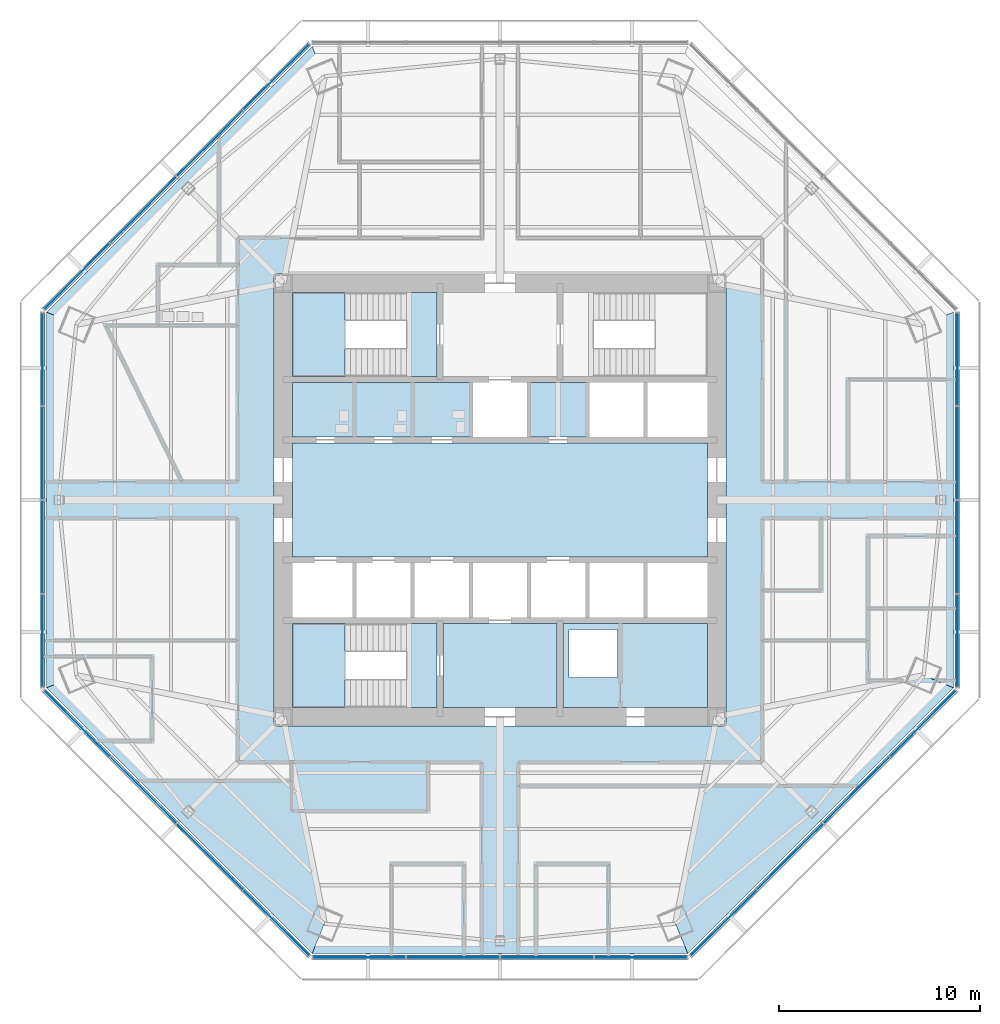
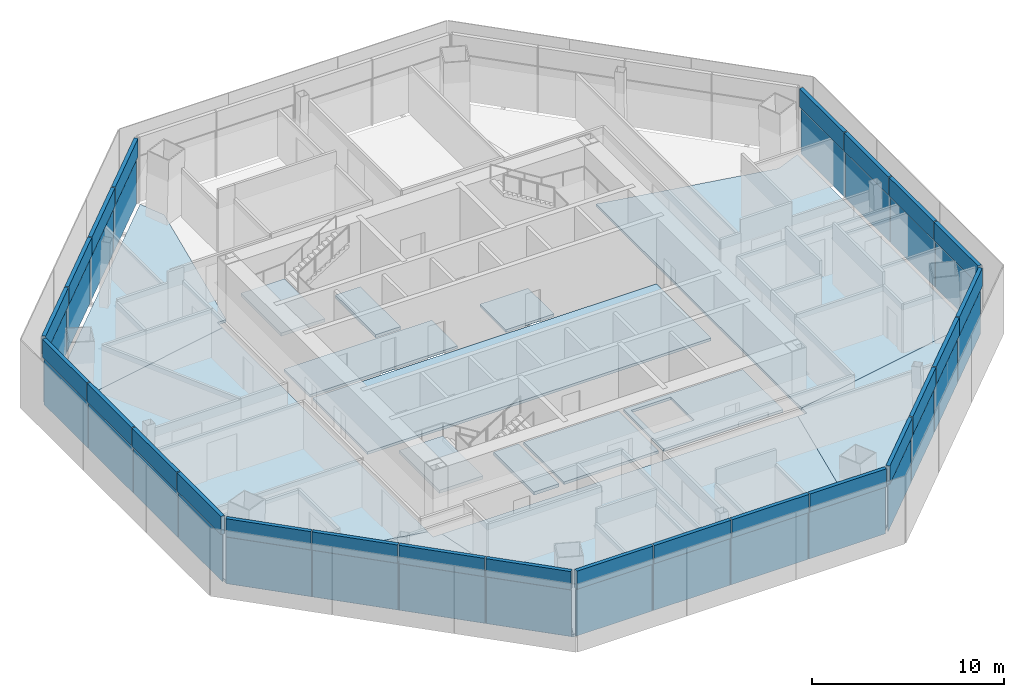
# One storey, part 7 of 15: 48 plates, 15 slabs, 8 elements without a shape of their own.
"""IFC4 building model written with IfcOpenShell, lengths in metres."""

from ifc_helpers import new_model, si_unit, direction, frame, origin, origin_2d, place, context, subcontext, project, spatial, polyline, rectangle, outline, extrude, source, transform, mapped, material, layer, layer_set, type_object, type_shapes, element, aggregate, save


model = new_model("IFC4")

# Units and contexts
model_context = context("Model", 3, precision=1e-05, world=origin(), true_north=direction((0.0, 1.0)))
body_context = subcontext(model_context, "Body", "Model", "MODEL_VIEW")
ifc_project = project(units=[si_unit("LENGTHUNIT", "METRE"), si_unit("AREAUNIT", "SQUARE_METRE"), si_unit("VOLUMEUNIT", "CUBIC_METRE"), si_unit("PLANEANGLEUNIT", "RADIAN"), si_unit("MASSUNIT", "GRAM", prefix="KILO")], contexts=[model_context])

# Site, building, storey
site_placement = place(None, origin())
site = spatial("IfcSite", under=ifc_project, at=site_placement, CompositionType="ELEMENT")
building_placement = place(site_placement, origin())
building = spatial("IfcBuilding", under=site, at=building_placement, Name="Mashrafa Tower", CompositionType="ELEMENT")
storey_placement = place(building_placement, frame((0.0, 0.0, 184.800048828125)))
storey = spatial("IfcBuildingStorey", under=building, at=storey_placement, Name="L42", CompositionType="ELEMENT", Elevation=184.800048828125)

# Slabs
ifc_material_1 = material(Name="Concrete C35/45", Category="concrete")
ifc_layer_1 = layer(ifc_material_1, 0.1650390625)
ifc_layer_set_1 = layer_set([ifc_layer_1], Name="Floor slab 165")
slab_type_1 = type_object("IfcSlabType", Name="Floor slab 165", PredefinedType="FLOOR", material=ifc_layer_set_1)
slab_1_placement = place(storey_placement, frame((0.0, 0.0, -0.1650390625)))
element("IfcSlab", 1, at=slab_1_placement, inside=storey, type_object=slab_type_1, Name="Floor slab L42 east bay", PredefinedType="FLOOR", context=body_context, shape_type="SweptSolid", body=[
    extrude(outline(polyline([(22.5869140625, 9.35595703125), (22.5869140625, -9.35595703125), (22.5869140625, -9.35595703125), (21.11328125, -8.74560546875), (11.25, -10.71044921875), (11.25, 10.71044921875), (21.11328125, 8.74560546875), (22.5869140625, 9.35595703125), (22.5869140625, 9.35595703125)])), origin(), (0.0, 0.0, 1.0), 0.1650390625),
])
slab_2_placement = place(storey_placement, frame((0.0, 0.0, -0.1650390625)))
element("IfcSlab", 2, at=slab_2_placement, inside=storey, type_object=slab_type_1, Name="Floor slab L42 north-west bay", PredefinedType="FLOOR", context=body_context, shape_type="SweptSolid", body=[
    extrude(outline(polyline([(-9.35595703125, 22.5869140625), (-8.74560546875, 21.11328125), (-10.71044921875, 11.25), (-11.25, 11.25), (-11.25, 10.71044921875), (-21.11328125, 8.74560546875), (-22.5869140625, 9.35595703125), (-9.35595703125, 22.5869140625)])), origin(), (0.0, 0.0, 1.0), 0.1650390625),
])
slab_3_placement = place(storey_placement, frame((0.0, 0.0, -0.1650390625)))
element("IfcSlab", 3, at=slab_3_placement, inside=storey, type_object=slab_type_1, Name="Floor slab L42 west bay", PredefinedType="FLOOR", context=body_context, shape_type="SweptSolid", body=[
    extrude(outline(polyline([(-22.5869140625, -9.35595703125), (-22.5869140625, 9.35595703125), (-22.5869140625, 9.35595703125), (-21.11328125, 8.74560546875), (-11.25, 10.71044921875), (-11.25, -10.71044921875), (-21.11328125, -8.74560546875), (-22.5869140625, -9.35595703125), (-22.5869140625, -9.35595703125)])), origin(), (0.0, 0.0, 1.0), 0.1650390625),
])
slab_4_placement = place(storey_placement, frame((0.0, 0.0, -0.1650390625)))
element("IfcSlab", 4, at=slab_4_placement, inside=storey, type_object=slab_type_1, Name="Floor slab L42 south-west bay", PredefinedType="FLOOR", context=body_context, shape_type="SweptSolid", body=[
    extrude(outline(polyline([(-22.5869140625, -9.35595703125), (-21.11328125, -8.74560546875), (-11.25, -10.71044921875), (-11.25, -11.25), (-10.71044921875, -11.25), (-8.74560546875, -21.11328125), (-9.35595703125, -22.5869140625), (-22.5869140625, -9.35595703125)])), origin(), (0.0, 0.0, 1.0), 0.1650390625),
])
slab_5_placement = place(storey_placement, frame((0.0, 0.0, -0.1650390625)))
element("IfcSlab", 5, at=slab_5_placement, inside=storey, type_object=slab_type_1, Name="Floor slab L42 south bay", PredefinedType="FLOOR", context=body_context, shape_type="SweptSolid", body=[
    extrude(outline(polyline([(-9.35595703125, -22.5869140625), (-9.35595703125, -22.5869140625), (-8.74560546875, -21.11328125), (-10.71044921875, -11.25), (10.71044921875, -11.25), (8.74560546875, -21.11328125), (9.35595703125, -22.5869140625), (9.35595703125, -22.5869140625), (-9.35595703125, -22.5869140625)])), origin(), (0.0, 0.0, 1.0), 0.1650390625),
])
slab_6_placement = place(storey_placement, frame((0.0, 0.0, -0.1650390625)))
element("IfcSlab", 6, at=slab_6_placement, inside=storey, type_object=slab_type_1, Name="Floor slab L42 south-east bay", PredefinedType="FLOOR", context=body_context, shape_type="SweptSolid", body=[
    extrude(outline(polyline([(9.35595703125, -22.5869140625), (8.74560546875, -21.11328125), (10.71044921875, -11.25), (11.25, -11.25), (11.25, -10.71044921875), (21.11328125, -8.74560546875), (22.5869140625, -9.35595703125), (9.35595703125, -22.5869140625)])), origin(), (0.0, 0.0, 1.0), 0.1650390625),
])
slab_7_placement = place(storey_placement, frame((0.0, 0.0, -0.1650390625)))
element("IfcSlab", 7, at=slab_7_placement, inside=storey, type_object=slab_type_1, Name="Core floor lift hall L42", PredefinedType="FLOOR", context=body_context, shape_type="SweptSolid", body=[
    extrude(outline(polyline([(-10.35009765625, 2.85009765625), (10.35009765625, 2.85009765625), (10.35009765625, -2.85009765625), (-10.35009765625, -2.85009765625), (-10.35009765625, 2.85009765625)])), origin(), (0.0, 0.0, 1.0), 0.1650390625),
])
slab_8_placement = place(storey_placement, frame((0.0, 0.0, -0.1650390625)))
element("IfcSlab", 8, at=slab_8_placement, inside=storey, type_object=slab_type_1, Name="Core floor riser and electrical band L42", PredefinedType="FLOOR", context=body_context, shape_type="SweptSolid", body=[
    extrude(outline(polyline([(10.35009765625, -6.14990234375), (10.35009765625, -10.35009765625), (3.14990234375, -10.35009765625), (3.14990234375, -6.14990234375), (10.35009765625, -6.14990234375)]), holes=[polyline([(3.449951171875, -8.85009765625), (5.85009765625, -8.85009765625), (5.85009765625, -6.449951171875), (3.449951171875, -6.449951171875), (3.449951171875, -8.85009765625)])]), origin(), (0.0, 0.0, 1.0), 0.1650390625),
])
slab_9_placement = place(storey_placement, frame((0.0, 0.0, -0.1650390625)))
element("IfcSlab", 9, at=slab_9_placement, inside=storey, type_object=slab_type_1, Name="Core floor lift cell L42", PredefinedType="FLOOR", context=body_context, shape_type="SweptSolid", body=[
    extrude(outline(polyline([(-1.449951171875, 3.14990234375), (-10.35009765625, 3.14990234375), (-10.35009765625, 5.85009765625), (-1.449951171875, 5.85009765625), (-1.449951171875, 3.14990234375)])), origin(), (0.0, 0.0, 1.0), 0.1650390625),
])
slab_10_placement = place(storey_placement, frame((0.0, 0.0, -0.1650390625)))
element("IfcSlab", 10, at=slab_10_placement, inside=storey, type_object=slab_type_1, Name="Core floor fire-fighting lobby south L42", PredefinedType="FLOOR", context=body_context, shape_type="SweptSolid", body=[
    extrude(outline(polyline([(2.85009765625, -6.14990234375), (2.85009765625, -10.35009765625), (-2.85009765625, -10.35009765625), (-2.85009765625, -6.14990234375), (2.85009765625, -6.14990234375)])), origin(), (0.0, 0.0, 1.0), 0.1650390625),
])
slab_11_placement = place(storey_placement, frame((0.0, 0.0, -0.1650390625)))
element("IfcSlab", 11, at=slab_11_placement, inside=storey, type_object=slab_type_1, Name="Core floor lift cell L42", PredefinedType="FLOOR", context=body_context, shape_type="SweptSolid", body=[
    extrude(outline(polyline([(4.35009765625, 5.85009765625), (4.35009765625, 3.14990234375), (1.449951171875, 3.14990234375), (1.449951171875, 5.85009765625), (4.35009765625, 5.85009765625)])), origin(), (0.0, 0.0, 1.0), 0.1650390625),
])

# Stair, slabs
ifc_material_2 = material(Name="Exit stair 1400")
stair_type = type_object("IfcStairType", Name="Exit stair 1400", PredefinedType="HALF_TURN_STAIR", material=ifc_material_2)
stair_1_placement = place(storey_placement, origin())
stair_1 = element("IfcStair", 12, at=stair_1_placement, inside=storey, type_object=stair_type, Name="Stair S1 L42", PredefinedType="HALF_TURN_STAIR")
ifc_material_3 = material(Name="Concrete C32/40", Category="concrete")
ifc_layer_2 = layer(ifc_material_3, 0.199951171875)
ifc_layer_set_2 = layer_set([ifc_layer_2], Name="Stair landing 200")
slab_type_2 = type_object("IfcSlabType", Name="Stair landing 200", PredefinedType="LANDING", material=ifc_layer_set_2)
slab_12_placement = place(storey_placement, frame((0.0, 0.0, -0.199951171875)))
slab_12 = element("IfcSlab", 13, at=slab_12_placement, type_object=slab_type_2, Name="S1 landing 1", PredefinedType="LANDING", context=body_context, shape_type="SweptSolid", body=[
    extrude(outline(polyline([(-4.659912109375, 6.14990234375), (-3.14990234375, 6.14990234375), (-3.14990234375, 10.35009765625), (-4.659912109375, 10.35009765625), (-4.659912109375, 6.14990234375)])), origin(), (0.0, 0.0, 1.0), 0.199951171875),
])
slab_13_placement = place(storey_placement, frame((0.0, 0.0, 1.89990234375)))
slab_13 = element("IfcSlab", 14, at=slab_13_placement, type_object=slab_type_2, Name="S1 landing 2", PredefinedType="LANDING", context=body_context, shape_type="SweptSolid", body=[
    extrude(outline(polyline([(-10.35009765625, 6.14990234375), (-7.719970703125, 6.14990234375), (-7.719970703125, 10.35009765625), (-10.35009765625, 10.35009765625), (-10.35009765625, 6.14990234375)])), origin(), (0.0, 0.0, 1.0), 0.199951171875),
])
aggregate(stair_1, [slab_12, slab_13])

stair_2_placement = place(storey_placement, origin())
stair_2 = element("IfcStair", 15, at=stair_2_placement, inside=storey, type_object=stair_type, Name="Stair S3 L42", PredefinedType="HALF_TURN_STAIR")
slab_14_placement = place(storey_placement, frame((0.0, 0.0, -0.199951171875)))
slab_14 = element("IfcSlab", 16, at=slab_14_placement, type_object=slab_type_2, Name="S3 landing 1", PredefinedType="LANDING", context=body_context, shape_type="SweptSolid", body=[
    extrude(outline(polyline([(-4.659912109375, -10.35009765625), (-3.14990234375, -10.35009765625), (-3.14990234375, -6.14990234375), (-4.659912109375, -6.14990234375), (-4.659912109375, -10.35009765625)])), origin(), (0.0, 0.0, 1.0), 0.199951171875),
])
slab_15_placement = place(storey_placement, frame((0.0, 0.0, 1.89990234375)))
slab_15 = element("IfcSlab", 17, at=slab_15_placement, type_object=slab_type_2, Name="S3 landing 2", PredefinedType="LANDING", context=body_context, shape_type="SweptSolid", body=[
    extrude(outline(polyline([(-10.35009765625, -10.35009765625), (-7.719970703125, -10.35009765625), (-7.719970703125, -6.14990234375), (-10.35009765625, -6.14990234375), (-10.35009765625, -10.35009765625)])), origin(), (0.0, 0.0, 1.0), 0.199951171875),
])
aggregate(stair_2, [slab_14, slab_15])

# Curtain wall, plates
ifc_material_4 = material(Name="Unitised aluminium curtain wall", Category="aluminium")
curtain_wall_type = type_object("IfcCurtainWallType", Name="Office curtain wall, zone 2 CW-B 225 deep", PredefinedType="NOTDEFINED", material=ifc_material_4)
curtain_wall_1_placement = place(storey_placement, origin())
curtain_wall_1 = element("IfcCurtainWall", 18, at=curtain_wall_1_placement, inside=storey, type_object=curtain_wall_type, Name="Office curtain wall, zone 2 L42 east", PredefinedType="NOTDEFINED")
ifc_material_5 = material(Name="Insulated double glazing, low-e, neutral", Category="glass")
ifc_layer_3 = layer(ifc_material_5, 0.028076171875)
ifc_layer_set_3 = layer_set([ifc_layer_3], Name="Vision panel CW-B 28")
plate_type_1 = type_object("IfcPlateType", Name="Vision panel CW-B 28", PredefinedType="CURTAIN_PANEL", material=ifc_layer_set_3)
shared_shape_1 = source(origin(), body_context, "Body", "SweptSolid", [
    extrude(rectangle(XDim=4.593505859375, YDim=0.028076171875, at=origin_2d()), origin(), (0.0, 0.0, 1.0), 2.9599609375),
])
plate_1_placement = place(storey_placement, frame((22.786865234375, -7.020263671875, 0.0), z_axis=(0.0, 0.0, 1.0), x_axis=(0.0, 1.0, 0.0)))
plate_1 = element("IfcPlate", 19, at=plate_1_placement, type_object=plate_type_1, Name="CW-B vision panel 1", PredefinedType="CURTAIN_PANEL", context=body_context, shape_type="MappedRepresentation", body=[
    mapped(shared_shape_1, transform((0.0, 0.0, 0.0))),
])
plate_2_placement = place(storey_placement, frame((22.786865234375, 7.020263671875, 0.0), z_axis=(0.0, 0.0, 1.0), x_axis=(0.0, 1.0, 0.0)))
plate_2 = element("IfcPlate", 20, at=plate_2_placement, type_object=plate_type_1, Name="CW-B vision panel 4", PredefinedType="CURTAIN_PANEL", context=body_context, shape_type="MappedRepresentation", body=[
    mapped(shared_shape_1, transform((0.0, 0.0, 0.0))),
])

curtain_wall_2_placement = place(storey_placement, origin())
curtain_wall_2 = element("IfcCurtainWall", 21, at=curtain_wall_2_placement, inside=storey, type_object=curtain_wall_type, Name="Office curtain wall, zone 2 L42 north-west", PredefinedType="NOTDEFINED")
plate_3_placement = place(storey_placement, frame((-11.148681640625, 21.076904296875, 0.0), z_axis=(0.0, 0.0, 1.0), x_axis=(-0.707106781187, -0.707106781187, 0.0)))
plate_3 = element("IfcPlate", 22, at=plate_3_placement, type_object=plate_type_1, Name="CW-B vision panel 1", PredefinedType="CURTAIN_PANEL", context=body_context, shape_type="MappedRepresentation", body=[
    mapped(shared_shape_1, transform((0.0, 0.0, 0.0))),
])
plate_4_placement = place(storey_placement, frame((-21.076904296875, 11.148681640625, 0.0), z_axis=(0.0, 0.0, 1.0), x_axis=(-0.707106781187, -0.707106781187, 0.0)))
plate_4 = element("IfcPlate", 23, at=plate_4_placement, type_object=plate_type_1, Name="CW-B vision panel 4", PredefinedType="CURTAIN_PANEL", context=body_context, shape_type="MappedRepresentation", body=[
    mapped(shared_shape_1, transform((0.0, 0.0, 0.0))),
])

curtain_wall_3_placement = place(storey_placement, origin())
curtain_wall_3 = element("IfcCurtainWall", 24, at=curtain_wall_3_placement, inside=storey, type_object=curtain_wall_type, Name="Office curtain wall, zone 2 L42 west", PredefinedType="NOTDEFINED")
plate_5_placement = place(storey_placement, frame((-22.786865234375, 7.020263671875, 0.0), z_axis=(0.0, 0.0, 1.0), x_axis=(0.0, -1.0, 0.0)))
plate_5 = element("IfcPlate", 25, at=plate_5_placement, type_object=plate_type_1, Name="CW-B vision panel 1", PredefinedType="CURTAIN_PANEL", context=body_context, shape_type="MappedRepresentation", body=[
    mapped(shared_shape_1, transform((0.0, 0.0, 0.0))),
])
plate_6_placement = place(storey_placement, frame((-22.786865234375, -7.020263671875, 0.0), z_axis=(0.0, 0.0, 1.0), x_axis=(0.0, -1.0, 0.0)))
plate_6 = element("IfcPlate", 26, at=plate_6_placement, type_object=plate_type_1, Name="CW-B vision panel 4", PredefinedType="CURTAIN_PANEL", context=body_context, shape_type="MappedRepresentation", body=[
    mapped(shared_shape_1, transform((0.0, 0.0, 0.0))),
])

curtain_wall_4_placement = place(storey_placement, origin())
curtain_wall_4 = element("IfcCurtainWall", 27, at=curtain_wall_4_placement, inside=storey, type_object=curtain_wall_type, Name="Office curtain wall, zone 2 L42 south-west", PredefinedType="NOTDEFINED")
plate_7_placement = place(storey_placement, frame((-21.076904296875, -11.148681640625, 0.0), z_axis=(0.0, 0.0, 1.0), x_axis=(0.707106781187, -0.707106781187, 0.0)))
plate_7 = element("IfcPlate", 28, at=plate_7_placement, type_object=plate_type_1, Name="CW-B vision panel 1", PredefinedType="CURTAIN_PANEL", context=body_context, shape_type="MappedRepresentation", body=[
    mapped(shared_shape_1, transform((0.0, 0.0, 0.0))),
])
plate_8_placement = place(storey_placement, frame((-11.148681640625, -21.076904296875, 0.0), z_axis=(0.0, 0.0, 1.0), x_axis=(0.707106781187, -0.707106781187, 0.0)))
plate_8 = element("IfcPlate", 29, at=plate_8_placement, type_object=plate_type_1, Name="CW-B vision panel 4", PredefinedType="CURTAIN_PANEL", context=body_context, shape_type="MappedRepresentation", body=[
    mapped(shared_shape_1, transform((0.0, 0.0, 0.0))),
])

curtain_wall_5_placement = place(storey_placement, origin())
curtain_wall_5 = element("IfcCurtainWall", 30, at=curtain_wall_5_placement, inside=storey, type_object=curtain_wall_type, Name="Office curtain wall, zone 2 L42 south", PredefinedType="NOTDEFINED")
plate_9_placement = place(storey_placement, frame((-7.020263671875, -22.786865234375, 0.0), z_axis=(0.0, 0.0, 1.0), x_axis=(1.0, 0.0, 0.0)))
plate_9 = element("IfcPlate", 31, at=plate_9_placement, type_object=plate_type_1, Name="CW-B vision panel 1", PredefinedType="CURTAIN_PANEL", context=body_context, shape_type="MappedRepresentation", body=[
    mapped(shared_shape_1, transform((0.0, 0.0, 0.0))),
])
plate_10_placement = place(storey_placement, frame((7.020263671875, -22.786865234375, 0.0), z_axis=(0.0, 0.0, 1.0), x_axis=(1.0, 0.0, 0.0)))
plate_10 = element("IfcPlate", 32, at=plate_10_placement, type_object=plate_type_1, Name="CW-B vision panel 4", PredefinedType="CURTAIN_PANEL", context=body_context, shape_type="MappedRepresentation", body=[
    mapped(shared_shape_1, transform((0.0, 0.0, 0.0))),
])

curtain_wall_6_placement = place(storey_placement, origin())
curtain_wall_6 = element("IfcCurtainWall", 33, at=curtain_wall_6_placement, inside=storey, type_object=curtain_wall_type, Name="Office curtain wall, zone 2 L42 south-east", PredefinedType="NOTDEFINED")
plate_11_placement = place(storey_placement, frame((11.148681640625, -21.076904296875, 0.0), z_axis=(0.0, 0.0, 1.0), x_axis=(0.707106781187, 0.707106781187, 0.0)))
plate_11 = element("IfcPlate", 34, at=plate_11_placement, type_object=plate_type_1, Name="CW-B vision panel 1", PredefinedType="CURTAIN_PANEL", context=body_context, shape_type="MappedRepresentation", body=[
    mapped(shared_shape_1, transform((0.0, 0.0, 0.0))),
])
plate_12_placement = place(storey_placement, frame((21.076904296875, -11.148681640625, 0.0), z_axis=(0.0, 0.0, 1.0), x_axis=(0.707106781187, 0.707106781187, 0.0)))
plate_12 = element("IfcPlate", 35, at=plate_12_placement, type_object=plate_type_1, Name="CW-B vision panel 4", PredefinedType="CURTAIN_PANEL", context=body_context, shape_type="MappedRepresentation", body=[
    mapped(shared_shape_1, transform((0.0, 0.0, 0.0))),
])

# Plate
ifc_material_6 = material(Name="Insulated aluminium spandrel panel", Category="aluminium")
ifc_layer_4 = layer(ifc_material_6, 0.219970703125)
ifc_layer_set_4 = layer_set([ifc_layer_4], Name="Spandrel panel CW-B 220")
plate_type_2 = type_object("IfcPlateType", Name="Spandrel panel CW-B 220", PredefinedType="CURTAIN_PANEL", material=ifc_layer_set_4)
shared_shape_2 = source(origin(), body_context, "Body", "SweptSolid", [
    extrude(rectangle(XDim=4.593505859375, YDim=0.219970703125, at=origin_2d()), origin(), (0.0, 0.0, 1.0), 1.159912109375),
])
plate_13_placement = place(storey_placement, frame((22.786865234375, -7.020263671875, 3.0400390625), z_axis=(0.0, 0.0, 1.0), x_axis=(0.0, 1.0, 0.0)))
plate_13 = element("IfcPlate", 36, at=plate_13_placement, type_object=plate_type_2, Name="CW-B spandrel panel 1", PredefinedType="CURTAIN_PANEL", context=body_context, shape_type="MappedRepresentation", body=[
    mapped(shared_shape_2, transform((0.0, 0.0, 0.0))),
])

plate_14_placement = place(storey_placement, frame((22.786865234375, 7.020263671875, 3.0400390625), z_axis=(0.0, 0.0, 1.0), x_axis=(0.0, 1.0, 0.0)))
plate_14 = element("IfcPlate", 37, at=plate_14_placement, type_object=plate_type_2, Name="CW-B spandrel panel 4", PredefinedType="CURTAIN_PANEL", context=body_context, shape_type="MappedRepresentation", body=[
    mapped(shared_shape_2, transform((0.0, 0.0, 0.0))),
])

plate_15_placement = place(storey_placement, frame((-11.148681640625, 21.076904296875, 3.0400390625), z_axis=(0.0, 0.0, 1.0), x_axis=(-0.707106781187, -0.707106781187, 0.0)))
plate_15 = element("IfcPlate", 38, at=plate_15_placement, type_object=plate_type_2, Name="CW-B spandrel panel 1", PredefinedType="CURTAIN_PANEL", context=body_context, shape_type="MappedRepresentation", body=[
    mapped(shared_shape_2, transform((0.0, 0.0, 0.0))),
])

plate_16_placement = place(storey_placement, frame((-21.076904296875, 11.148681640625, 3.0400390625), z_axis=(0.0, 0.0, 1.0), x_axis=(-0.707106781187, -0.707106781187, 0.0)))
plate_16 = element("IfcPlate", 39, at=plate_16_placement, type_object=plate_type_2, Name="CW-B spandrel panel 4", PredefinedType="CURTAIN_PANEL", context=body_context, shape_type="MappedRepresentation", body=[
    mapped(shared_shape_2, transform((0.0, 0.0, 0.0))),
])

plate_17_placement = place(storey_placement, frame((-22.786865234375, 7.020263671875, 3.0400390625), z_axis=(0.0, 0.0, 1.0), x_axis=(0.0, -1.0, 0.0)))
plate_17 = element("IfcPlate", 40, at=plate_17_placement, type_object=plate_type_2, Name="CW-B spandrel panel 1", PredefinedType="CURTAIN_PANEL", context=body_context, shape_type="MappedRepresentation", body=[
    mapped(shared_shape_2, transform((0.0, 0.0, 0.0))),
])

plate_18_placement = place(storey_placement, frame((-22.786865234375, -7.020263671875, 3.0400390625), z_axis=(0.0, 0.0, 1.0), x_axis=(0.0, -1.0, 0.0)))
plate_18 = element("IfcPlate", 41, at=plate_18_placement, type_object=plate_type_2, Name="CW-B spandrel panel 4", PredefinedType="CURTAIN_PANEL", context=body_context, shape_type="MappedRepresentation", body=[
    mapped(shared_shape_2, transform((0.0, 0.0, 0.0))),
])

plate_19_placement = place(storey_placement, frame((-21.076904296875, -11.148681640625, 3.0400390625), z_axis=(0.0, 0.0, 1.0), x_axis=(0.707106781187, -0.707106781187, 0.0)))
plate_19 = element("IfcPlate", 42, at=plate_19_placement, type_object=plate_type_2, Name="CW-B spandrel panel 1", PredefinedType="CURTAIN_PANEL", context=body_context, shape_type="MappedRepresentation", body=[
    mapped(shared_shape_2, transform((0.0, 0.0, 0.0))),
])

plate_20_placement = place(storey_placement, frame((-11.148681640625, -21.076904296875, 3.0400390625), z_axis=(0.0, 0.0, 1.0), x_axis=(0.707106781187, -0.707106781187, 0.0)))
plate_20 = element("IfcPlate", 43, at=plate_20_placement, type_object=plate_type_2, Name="CW-B spandrel panel 4", PredefinedType="CURTAIN_PANEL", context=body_context, shape_type="MappedRepresentation", body=[
    mapped(shared_shape_2, transform((0.0, 0.0, 0.0))),
])

plate_21_placement = place(storey_placement, frame((-7.020263671875, -22.786865234375, 3.0400390625), z_axis=(0.0, 0.0, 1.0), x_axis=(1.0, 0.0, 0.0)))
plate_21 = element("IfcPlate", 44, at=plate_21_placement, type_object=plate_type_2, Name="CW-B spandrel panel 1", PredefinedType="CURTAIN_PANEL", context=body_context, shape_type="MappedRepresentation", body=[
    mapped(shared_shape_2, transform((0.0, 0.0, 0.0))),
])

plate_22_placement = place(storey_placement, frame((7.020263671875, -22.786865234375, 3.0400390625), z_axis=(0.0, 0.0, 1.0), x_axis=(1.0, 0.0, 0.0)))
plate_22 = element("IfcPlate", 45, at=plate_22_placement, type_object=plate_type_2, Name="CW-B spandrel panel 4", PredefinedType="CURTAIN_PANEL", context=body_context, shape_type="MappedRepresentation", body=[
    mapped(shared_shape_2, transform((0.0, 0.0, 0.0))),
])

plate_23_placement = place(storey_placement, frame((11.148681640625, -21.076904296875, 3.0400390625), z_axis=(0.0, 0.0, 1.0), x_axis=(0.707106781187, 0.707106781187, 0.0)))
plate_23 = element("IfcPlate", 46, at=plate_23_placement, type_object=plate_type_2, Name="CW-B spandrel panel 1", PredefinedType="CURTAIN_PANEL", context=body_context, shape_type="MappedRepresentation", body=[
    mapped(shared_shape_2, transform((0.0, 0.0, 0.0))),
])

plate_24_placement = place(storey_placement, frame((21.076904296875, -11.148681640625, 3.0400390625), z_axis=(0.0, 0.0, 1.0), x_axis=(0.707106781187, 0.707106781187, 0.0)))
plate_24 = element("IfcPlate", 47, at=plate_24_placement, type_object=plate_type_2, Name="CW-B spandrel panel 4", PredefinedType="CURTAIN_PANEL", context=body_context, shape_type="MappedRepresentation", body=[
    mapped(shared_shape_2, transform((0.0, 0.0, 0.0))),
])

shared_shape_3 = source(origin(), body_context, "Body", "SweptSolid", [
    extrude(rectangle(XDim=4.6259765625, YDim=0.028076171875, at=origin_2d()), origin(), (0.0, 0.0, 1.0), 2.9599609375),
])
type_shapes(plate_type_1, [shared_shape_1, shared_shape_3])
plate_25_placement = place(storey_placement, frame((22.786865234375, -2.345458984375, 0.0), z_axis=(0.0, 0.0, 1.0), x_axis=(0.0, 1.0, 0.0)))
plate_25 = element("IfcPlate", 48, at=plate_25_placement, type_object=plate_type_1, Name="CW-B vision panel 2", PredefinedType="CURTAIN_PANEL", context=body_context, shape_type="MappedRepresentation", body=[
    mapped(shared_shape_3, transform((0.0, 0.0, 0.0))),
])

plate_26_placement = place(storey_placement, frame((22.786865234375, 2.345458984375, 0.0), z_axis=(0.0, 0.0, 1.0), x_axis=(0.0, 1.0, 0.0)))
plate_26 = element("IfcPlate", 49, at=plate_26_placement, type_object=plate_type_1, Name="CW-B vision panel 3", PredefinedType="CURTAIN_PANEL", context=body_context, shape_type="MappedRepresentation", body=[
    mapped(shared_shape_3, transform((0.0, 0.0, 0.0))),
])

plate_27_placement = place(storey_placement, frame((-14.454345703125, 17.771484375, 0.0), z_axis=(0.0, 0.0, 1.0), x_axis=(-0.707106781187, -0.707106781187, 0.0)))
plate_27 = element("IfcPlate", 50, at=plate_27_placement, type_object=plate_type_1, Name="CW-B vision panel 2", PredefinedType="CURTAIN_PANEL", context=body_context, shape_type="MappedRepresentation", body=[
    mapped(shared_shape_3, transform((0.0, 0.0, 0.0))),
])

plate_28_placement = place(storey_placement, frame((-17.771484375, 14.454345703125, 0.0), z_axis=(0.0, 0.0, 1.0), x_axis=(-0.707106781187, -0.707106781187, 0.0)))
plate_28 = element("IfcPlate", 51, at=plate_28_placement, type_object=plate_type_1, Name="CW-B vision panel 3", PredefinedType="CURTAIN_PANEL", context=body_context, shape_type="MappedRepresentation", body=[
    mapped(shared_shape_3, transform((0.0, 0.0, 0.0))),
])

plate_29_placement = place(storey_placement, frame((-22.786865234375, 2.345458984375, 0.0), z_axis=(0.0, 0.0, 1.0), x_axis=(0.0, -1.0, 0.0)))
plate_29 = element("IfcPlate", 52, at=plate_29_placement, type_object=plate_type_1, Name="CW-B vision panel 2", PredefinedType="CURTAIN_PANEL", context=body_context, shape_type="MappedRepresentation", body=[
    mapped(shared_shape_3, transform((0.0, 0.0, 0.0))),
])

plate_30_placement = place(storey_placement, frame((-22.786865234375, -2.345458984375, 0.0), z_axis=(0.0, 0.0, 1.0), x_axis=(0.0, -1.0, 0.0)))
plate_30 = element("IfcPlate", 53, at=plate_30_placement, type_object=plate_type_1, Name="CW-B vision panel 3", PredefinedType="CURTAIN_PANEL", context=body_context, shape_type="MappedRepresentation", body=[
    mapped(shared_shape_3, transform((0.0, 0.0, 0.0))),
])

plate_31_placement = place(storey_placement, frame((-17.771484375, -14.454345703125, 0.0), z_axis=(0.0, 0.0, 1.0), x_axis=(0.707106781187, -0.707106781187, 0.0)))
plate_31 = element("IfcPlate", 54, at=plate_31_placement, type_object=plate_type_1, Name="CW-B vision panel 2", PredefinedType="CURTAIN_PANEL", context=body_context, shape_type="MappedRepresentation", body=[
    mapped(shared_shape_3, transform((0.0, 0.0, 0.0))),
])

plate_32_placement = place(storey_placement, frame((-14.454345703125, -17.771484375, 0.0), z_axis=(0.0, 0.0, 1.0), x_axis=(0.707106781187, -0.707106781187, 0.0)))
plate_32 = element("IfcPlate", 55, at=plate_32_placement, type_object=plate_type_1, Name="CW-B vision panel 3", PredefinedType="CURTAIN_PANEL", context=body_context, shape_type="MappedRepresentation", body=[
    mapped(shared_shape_3, transform((0.0, 0.0, 0.0))),
])

plate_33_placement = place(storey_placement, frame((-2.345458984375, -22.786865234375, 0.0), z_axis=(0.0, 0.0, 1.0), x_axis=(1.0, 0.0, 0.0)))
plate_33 = element("IfcPlate", 56, at=plate_33_placement, type_object=plate_type_1, Name="CW-B vision panel 2", PredefinedType="CURTAIN_PANEL", context=body_context, shape_type="MappedRepresentation", body=[
    mapped(shared_shape_3, transform((0.0, 0.0, 0.0))),
])

plate_34_placement = place(storey_placement, frame((2.345458984375, -22.786865234375, 0.0), z_axis=(0.0, 0.0, 1.0), x_axis=(1.0, 0.0, 0.0)))
plate_34 = element("IfcPlate", 57, at=plate_34_placement, type_object=plate_type_1, Name="CW-B vision panel 3", PredefinedType="CURTAIN_PANEL", context=body_context, shape_type="MappedRepresentation", body=[
    mapped(shared_shape_3, transform((0.0, 0.0, 0.0))),
])

plate_35_placement = place(storey_placement, frame((14.454345703125, -17.771484375, 0.0), z_axis=(0.0, 0.0, 1.0), x_axis=(0.707106781187, 0.707106781187, 0.0)))
plate_35 = element("IfcPlate", 58, at=plate_35_placement, type_object=plate_type_1, Name="CW-B vision panel 2", PredefinedType="CURTAIN_PANEL", context=body_context, shape_type="MappedRepresentation", body=[
    mapped(shared_shape_3, transform((0.0, 0.0, 0.0))),
])

plate_36_placement = place(storey_placement, frame((17.771484375, -14.454345703125, 0.0), z_axis=(0.0, 0.0, 1.0), x_axis=(0.707106781187, 0.707106781187, 0.0)))
plate_36 = element("IfcPlate", 59, at=plate_36_placement, type_object=plate_type_1, Name="CW-B vision panel 3", PredefinedType="CURTAIN_PANEL", context=body_context, shape_type="MappedRepresentation", body=[
    mapped(shared_shape_3, transform((0.0, 0.0, 0.0))),
])

shared_shape_4 = source(origin(), body_context, "Body", "SweptSolid", [
    extrude(rectangle(XDim=4.6259765625, YDim=0.219970703125, at=origin_2d()), origin(), (0.0, 0.0, 1.0), 1.159912109375),
])
type_shapes(plate_type_2, [shared_shape_2, shared_shape_4])
plate_37_placement = place(storey_placement, frame((22.786865234375, -2.345458984375, 3.0400390625), z_axis=(0.0, 0.0, 1.0), x_axis=(0.0, 1.0, 0.0)))
plate_37 = element("IfcPlate", 60, at=plate_37_placement, type_object=plate_type_2, Name="CW-B spandrel panel 2", PredefinedType="CURTAIN_PANEL", context=body_context, shape_type="MappedRepresentation", body=[
    mapped(shared_shape_4, transform((0.0, 0.0, 0.0))),
])

plate_38_placement = place(storey_placement, frame((22.786865234375, 2.345458984375, 3.0400390625), z_axis=(0.0, 0.0, 1.0), x_axis=(0.0, 1.0, 0.0)))
plate_38 = element("IfcPlate", 61, at=plate_38_placement, type_object=plate_type_2, Name="CW-B spandrel panel 3", PredefinedType="CURTAIN_PANEL", context=body_context, shape_type="MappedRepresentation", body=[
    mapped(shared_shape_4, transform((0.0, 0.0, 0.0))),
])

aggregate(curtain_wall_1, [plate_1, plate_13, plate_25, plate_37, plate_26, plate_38, plate_2, plate_14])

plate_39_placement = place(storey_placement, frame((-14.454345703125, 17.771484375, 3.0400390625), z_axis=(0.0, 0.0, 1.0), x_axis=(-0.707106781187, -0.707106781187, 0.0)))
plate_39 = element("IfcPlate", 62, at=plate_39_placement, type_object=plate_type_2, Name="CW-B spandrel panel 2", PredefinedType="CURTAIN_PANEL", context=body_context, shape_type="MappedRepresentation", body=[
    mapped(shared_shape_4, transform((0.0, 0.0, 0.0))),
])

plate_40_placement = place(storey_placement, frame((-17.771484375, 14.454345703125, 3.0400390625), z_axis=(0.0, 0.0, 1.0), x_axis=(-0.707106781187, -0.707106781187, 0.0)))
plate_40 = element("IfcPlate", 63, at=plate_40_placement, type_object=plate_type_2, Name="CW-B spandrel panel 3", PredefinedType="CURTAIN_PANEL", context=body_context, shape_type="MappedRepresentation", body=[
    mapped(shared_shape_4, transform((0.0, 0.0, 0.0))),
])

aggregate(curtain_wall_2, [plate_3, plate_15, plate_27, plate_39, plate_28, plate_40, plate_4, plate_16])

plate_41_placement = place(storey_placement, frame((-22.786865234375, 2.345458984375, 3.0400390625), z_axis=(0.0, 0.0, 1.0), x_axis=(0.0, -1.0, 0.0)))
plate_41 = element("IfcPlate", 64, at=plate_41_placement, type_object=plate_type_2, Name="CW-B spandrel panel 2", PredefinedType="CURTAIN_PANEL", context=body_context, shape_type="MappedRepresentation", body=[
    mapped(shared_shape_4, transform((0.0, 0.0, 0.0))),
])

plate_42_placement = place(storey_placement, frame((-22.786865234375, -2.345458984375, 3.0400390625), z_axis=(0.0, 0.0, 1.0), x_axis=(0.0, -1.0, 0.0)))
plate_42 = element("IfcPlate", 65, at=plate_42_placement, type_object=plate_type_2, Name="CW-B spandrel panel 3", PredefinedType="CURTAIN_PANEL", context=body_context, shape_type="MappedRepresentation", body=[
    mapped(shared_shape_4, transform((0.0, 0.0, 0.0))),
])

aggregate(curtain_wall_3, [plate_5, plate_17, plate_29, plate_41, plate_30, plate_42, plate_6, plate_18])

plate_43_placement = place(storey_placement, frame((-17.771484375, -14.454345703125, 3.0400390625), z_axis=(0.0, 0.0, 1.0), x_axis=(0.707106781187, -0.707106781187, 0.0)))
plate_43 = element("IfcPlate", 66, at=plate_43_placement, type_object=plate_type_2, Name="CW-B spandrel panel 2", PredefinedType="CURTAIN_PANEL", context=body_context, shape_type="MappedRepresentation", body=[
    mapped(shared_shape_4, transform((0.0, 0.0, 0.0))),
])

plate_44_placement = place(storey_placement, frame((-14.454345703125, -17.771484375, 3.0400390625), z_axis=(0.0, 0.0, 1.0), x_axis=(0.707106781187, -0.707106781187, 0.0)))
plate_44 = element("IfcPlate", 67, at=plate_44_placement, type_object=plate_type_2, Name="CW-B spandrel panel 3", PredefinedType="CURTAIN_PANEL", context=body_context, shape_type="MappedRepresentation", body=[
    mapped(shared_shape_4, transform((0.0, 0.0, 0.0))),
])

aggregate(curtain_wall_4, [plate_7, plate_19, plate_31, plate_43, plate_32, plate_44, plate_8, plate_20])

plate_45_placement = place(storey_placement, frame((-2.345458984375, -22.786865234375, 3.0400390625), z_axis=(0.0, 0.0, 1.0), x_axis=(1.0, 0.0, 0.0)))
plate_45 = element("IfcPlate", 68, at=plate_45_placement, type_object=plate_type_2, Name="CW-B spandrel panel 2", PredefinedType="CURTAIN_PANEL", context=body_context, shape_type="MappedRepresentation", body=[
    mapped(shared_shape_4, transform((0.0, 0.0, 0.0))),
])

plate_46_placement = place(storey_placement, frame((2.345458984375, -22.786865234375, 3.0400390625), z_axis=(0.0, 0.0, 1.0), x_axis=(1.0, 0.0, 0.0)))
plate_46 = element("IfcPlate", 69, at=plate_46_placement, type_object=plate_type_2, Name="CW-B spandrel panel 3", PredefinedType="CURTAIN_PANEL", context=body_context, shape_type="MappedRepresentation", body=[
    mapped(shared_shape_4, transform((0.0, 0.0, 0.0))),
])

aggregate(curtain_wall_5, [plate_9, plate_21, plate_33, plate_45, plate_34, plate_46, plate_10, plate_22])

plate_47_placement = place(storey_placement, frame((14.454345703125, -17.771484375, 3.0400390625), z_axis=(0.0, 0.0, 1.0), x_axis=(0.707106781187, 0.707106781187, 0.0)))
plate_47 = element("IfcPlate", 70, at=plate_47_placement, type_object=plate_type_2, Name="CW-B spandrel panel 2", PredefinedType="CURTAIN_PANEL", context=body_context, shape_type="MappedRepresentation", body=[
    mapped(shared_shape_4, transform((0.0, 0.0, 0.0))),
])

plate_48_placement = place(storey_placement, frame((17.771484375, -14.454345703125, 3.0400390625), z_axis=(0.0, 0.0, 1.0), x_axis=(0.707106781187, 0.707106781187, 0.0)))
plate_48 = element("IfcPlate", 71, at=plate_48_placement, type_object=plate_type_2, Name="CW-B spandrel panel 3", PredefinedType="CURTAIN_PANEL", context=body_context, shape_type="MappedRepresentation", body=[
    mapped(shared_shape_4, transform((0.0, 0.0, 0.0))),
])

aggregate(curtain_wall_6, [plate_11, plate_23, plate_35, plate_47, plate_36, plate_48, plate_12, plate_24])

save(model, "model.ifc")
